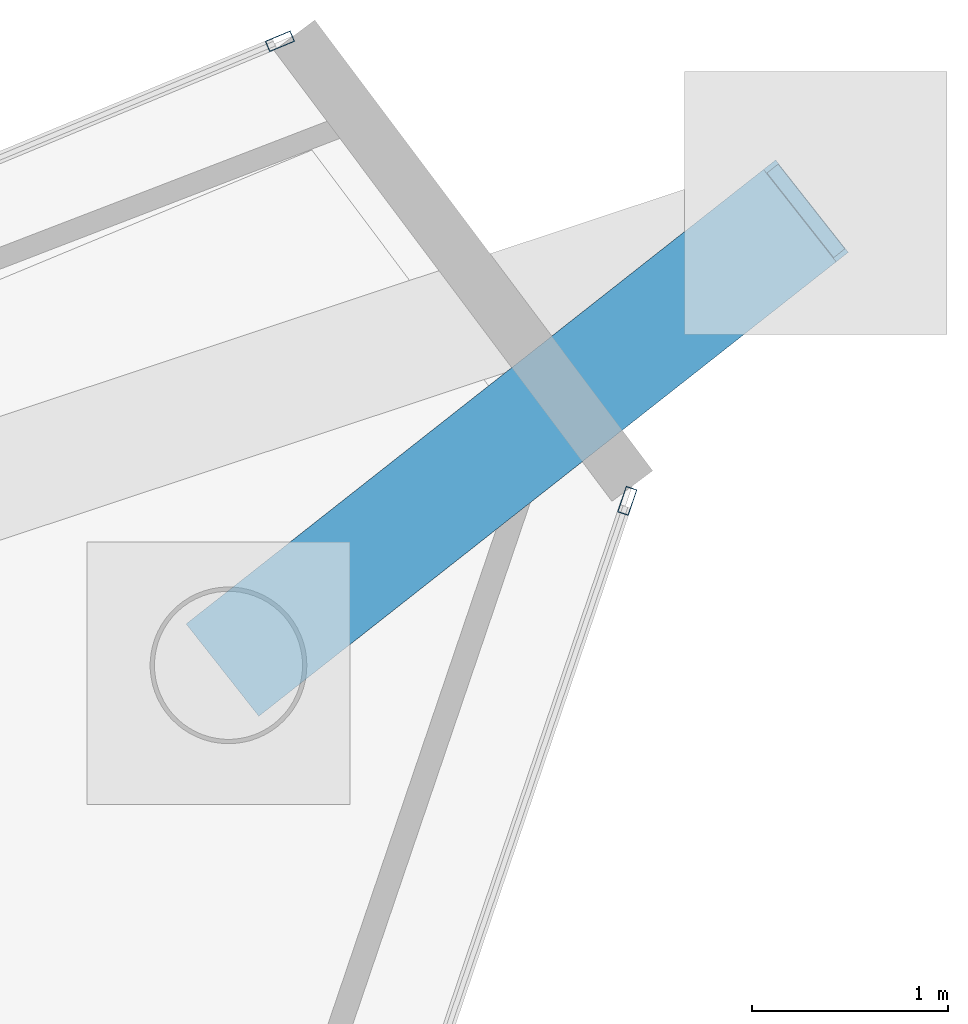
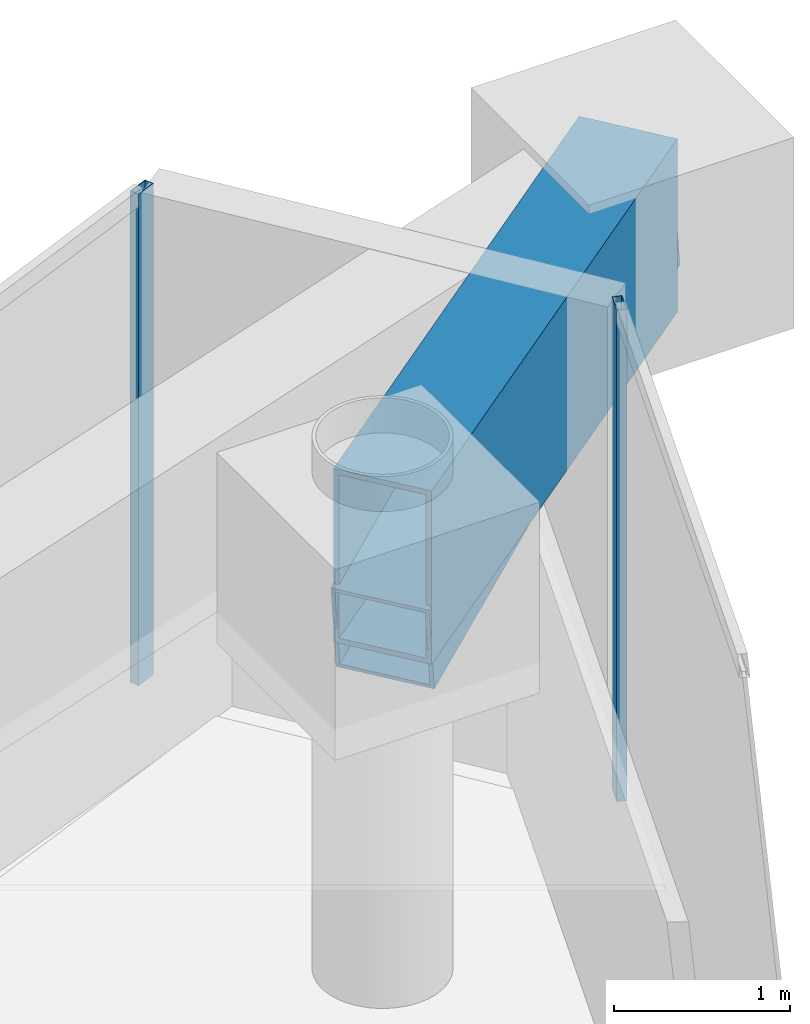
# One storey, part 13 of 18: 3 members, 1 beam, 2 elements without a shape of their own.
"""IFC4 building model written with IfcOpenShell, lengths in metres."""

from ifc_helpers import new_model, si_unit, direction, frame, origin, origin_2d, place, context, subcontext, project, spatial, hollow_rectangle, extrude, material, layer, layer_set, material_profile, profile_set, type_object, element, aggregate, save


model = new_model("IFC4")

# Units and contexts
model_context = context("Model", 3, precision=1e-05, world=origin(), true_north=direction((0.0, 1.0)))
body_context = subcontext(model_context, "Body", "Model", "MODEL_VIEW")
ifc_project = project(units=[si_unit("LENGTHUNIT", "METRE"), si_unit("AREAUNIT", "SQUARE_METRE"), si_unit("VOLUMEUNIT", "CUBIC_METRE"), si_unit("PLANEANGLEUNIT", "RADIAN"), si_unit("MASSUNIT", "GRAM", prefix="KILO")], contexts=[model_context])

# Site, building, storey
site_placement = place(None, origin())
site = spatial("IfcSite", under=ifc_project, at=site_placement, CompositionType="ELEMENT")
building_placement = place(site_placement, origin())
building = spatial("IfcBuilding", under=site, at=building_placement, Name="Qianvela Tower", CompositionType="ELEMENT")
storey_placement = place(building_placement, frame((0.0, 0.0, 348.10009765625)))
storey = spatial("IfcBuildingStorey", under=building, at=storey_placement, Name="L90", CompositionType="ELEMENT", Elevation=348.10009765625)

# Beam
ifc_material_1 = material(Name="Steel Q420GJC", Category="steel")
ifc_material_profile_1 = material_profile(ifc_material_1, hollow_rectangle(XDim=0.60009765625, YDim=1.199951171875, WallThickness=0.034912109375, at=origin_2d()), Name="TG-BOX-1200x600x35")
ifc_profile_set_1 = profile_set([ifc_material_profile_1], Name="Steel Q420GJC")
beam_type = type_object("IfcBeamType", Name="BM-TG-STEP-1200", PredefinedType="BEAM", material=ifc_profile_set_1)
beam_placement = place(storey_placement, frame((51.22705078125, 39.7080078125, 2.7978515625), z_axis=(0.78583010619, 0.618442434027, 0.0), x_axis=(-0.618442434027, 0.78583010619, 0.0)))
element("IfcBeam", 1, at=beam_placement, inside=storey, type_object=beam_type, Name="L90 Sky-Lounge Cantilever Projection Girder 1", PredefinedType="BEAM", context=body_context, shape_type="SweptSolid", body=[
    extrude(hollow_rectangle(XDim=0.60009765625, YDim=1.199951171875, WallThickness=0.034912109375, at=origin_2d()), origin(), (0.0, 0.0, 1.0), 3.75),
])

# Curtain wall, member
ifc_material_2 = material(Name="Anodised Architectural Aluminium and Low-E Glass", Category="aluminium")
ifc_layer = layer(ifc_material_2, 0.14990234375)
ifc_layer_set = layer_set([ifc_layer], Name="Anodised Architectural Aluminium and Low-E Glass")
curtain_wall_type = type_object("IfcCurtainWallType", Name="CW-COLIV-Z78", PredefinedType="USERDEFINED", material=ifc_layer_set)
curtain_wall_1_placement = place(storey_placement, origin())
curtain_wall_1 = element("IfcCurtainWall", 2, at=curtain_wall_1_placement, inside=storey, type_object=curtain_wall_type, Name="L90 CW-COLIV-Z78 Curtain Wall 02A", ObjectType="CURTAIN_WALL_SYSTEM", PredefinedType="USERDEFINED")
ifc_material_3 = material(Name="Anodised Architectural Aluminium 6063-T6", Category="aluminium")
ifc_material_profile_2 = material_profile(ifc_material_3, hollow_rectangle(XDim=0.06005859375, YDim=0.139892578125, WallThickness=0.00439453125, at=origin_2d()), Name="ALU-MULL-60x140")
ifc_profile_set_2 = profile_set([ifc_material_profile_2], Name="Anodised Architectural Aluminium 6063-T6")
member_type_1 = type_object("IfcMemberType", Name="CW-COLIV-Z78-MULL", PredefinedType="MULLION", material=ifc_profile_set_2)
member_1_placement = place(storey_placement, frame((51.489501953125, 42.892578125, 0.0), z_axis=(0.0, 0.0, 1.0), x_axis=(0.383114126271, -0.923701015617, 0.0)))
member_1 = element("IfcMember", 3, at=member_1_placement, type_object=member_type_1, Name="CW-6 mullion 1", PredefinedType="MULLION", context=body_context, shape_type="SweptSolid", body=[
    extrude(hollow_rectangle(XDim=0.06005859375, YDim=0.139892578125, WallThickness=0.00439453125, at=origin_2d()), origin(), (0.0, 0.0, 1.0), 3.39990234375),
])
aggregate(curtain_wall_1, [member_1])

curtain_wall_2_placement = place(storey_placement, origin())
curtain_wall_2 = element("IfcCurtainWall", 4, at=curtain_wall_2_placement, inside=storey, type_object=curtain_wall_type, Name="L90 CW-COLIV-Z78 Curtain Wall 06C", ObjectType="CURTAIN_WALL_SYSTEM", PredefinedType="USERDEFINED")
member_2_placement = place(storey_placement, frame((53.261962890625, 40.54736328125, 0.0), z_axis=(0.0, 0.0, 1.0), x_axis=(-0.946834992348, 0.321719594159, 0.0)))
member_2 = element("IfcMember", 5, at=member_2_placement, type_object=member_type_1, Name="CW-6 mullion 3", PredefinedType="MULLION", context=body_context, shape_type="SweptSolid", body=[
    extrude(hollow_rectangle(XDim=0.06005859375, YDim=0.139892578125, WallThickness=0.00439453125, at=origin_2d()), origin(), (0.0, 0.0, 1.0), 3.39990234375),
])
aggregate(curtain_wall_2, [member_2])

# Member
ifc_material_4 = material(Name="Steel Q420GJC", Category="steel")
ifc_material_profile_3 = material_profile(ifc_material_4, hollow_rectangle(XDim=0.60009765625, YDim=0.60009765625, WallThickness=0.02490234375, at=origin_2d()), Name="BBOX-600x600x25")
ifc_profile_set_3 = profile_set([ifc_material_profile_3], Name="Steel Q420GJC")
member_type_2 = type_object("IfcMemberType", Name="MBR-BELT-600", PredefinedType="BRACE", material=ifc_profile_set_3)
member_3_placement = place(storey_placement, frame((51.22705078125, 39.7080078125, 2.2998046875), z_axis=(0.778989384014, 0.613058836682, 0.13166017758), x_axis=(-0.618442434027, 0.78583010619, 0.0)))
element("IfcMember", 6, at=member_3_placement, inside=storey, type_object=member_type_2, Name="L90 Sky-Lounge Cantilever Truss Diagonal 1", PredefinedType="BRACE", context=body_context, shape_type="SweptSolid", body=[
    extrude(hollow_rectangle(XDim=0.60009765625, YDim=0.60009765625, WallThickness=0.02490234375, at=origin_2d()), origin(), (0.0, 0.0, 1.0), 3.78271484375),
])

save(model, "model.ifc")
